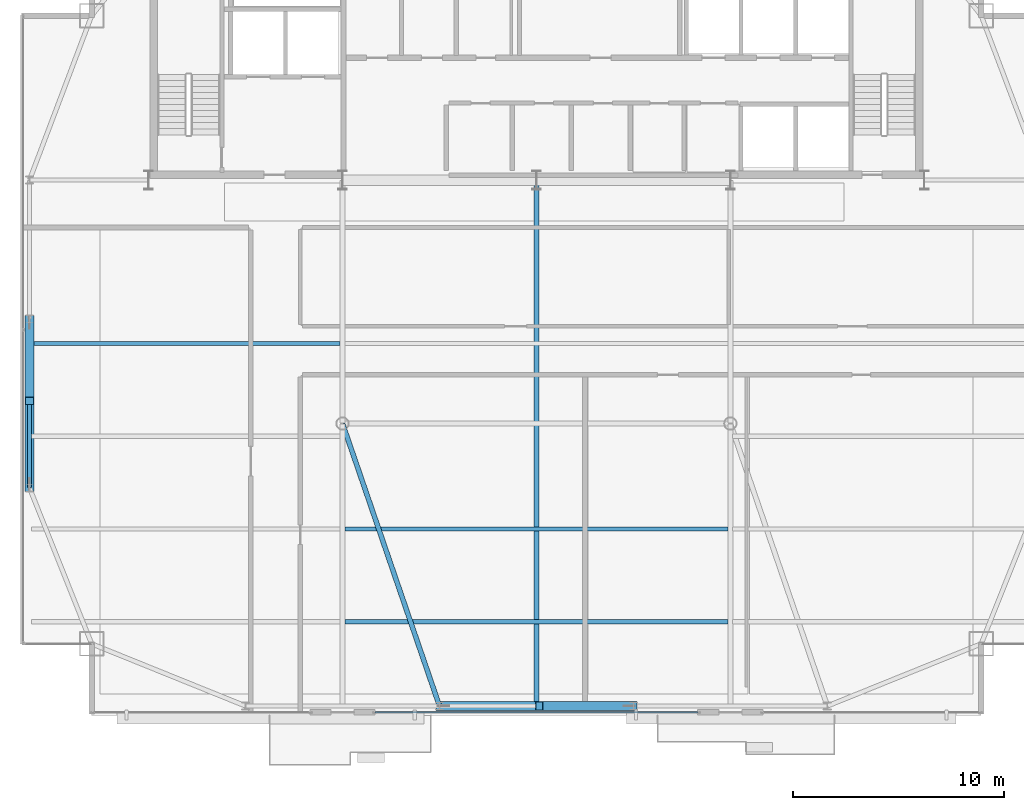
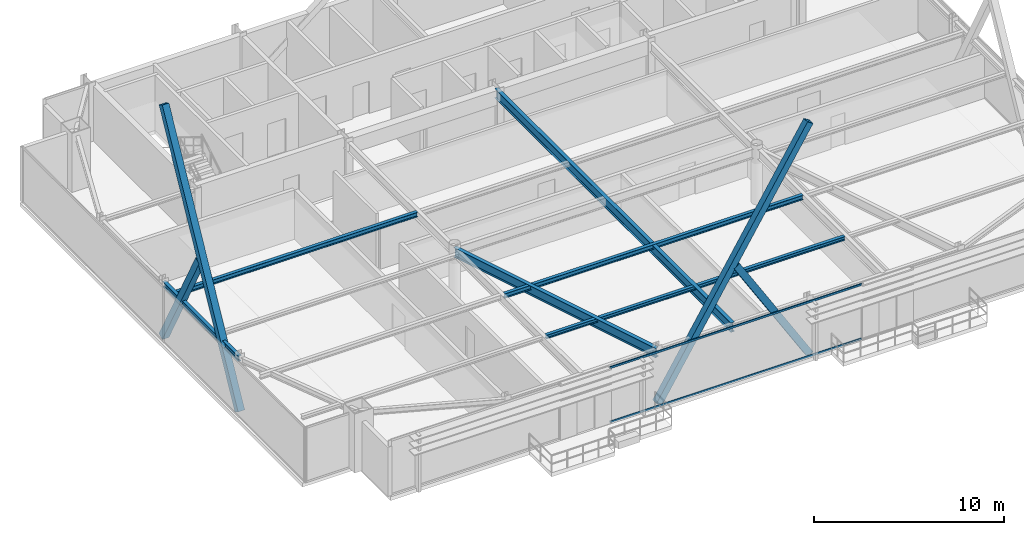
# One storey, part 9 of 31: 6 beams, 6 members, 1 element without a shape of its own.
"""IFC4 building model written with IfcOpenShell, lengths in metres."""

from ifc_helpers import new_model, si_unit, direction, frame, origin, origin_2d, place, context, subcontext, project, spatial, hollow_rectangle, i_section, extrude, source, transform, mapped, material, layer, layer_set, material_profile, profile_set, type_object, type_shapes, element, aggregate, save


model = new_model("IFC4")

# Units and contexts
model_context = context("Model", 3, precision=1e-05, world=origin(), true_north=direction((0.0, 1.0)))
body_context = subcontext(model_context, "Body", "Model", "MODEL_VIEW")
ifc_project = project(units=[si_unit("LENGTHUNIT", "METRE"), si_unit("AREAUNIT", "SQUARE_METRE"), si_unit("VOLUMEUNIT", "CUBIC_METRE"), si_unit("PLANEANGLEUNIT", "RADIAN"), si_unit("MASSUNIT", "GRAM", prefix="KILO")], contexts=[model_context])

# Site, building, storey
site_placement = place(None, origin())
site = spatial("IfcSite", under=ifc_project, at=site_placement, CompositionType="ELEMENT")
building_placement = place(site_placement, origin())
building = spatial("IfcBuilding", under=site, at=building_placement, Name="Varnel Quay Broadcast Tower", CompositionType="ELEMENT")
storey_placement = place(building_placement, frame((0.0, 0.0, 239.39990234375)))
storey = spatial("IfcBuildingStorey", under=building, at=storey_placement, Name="L59", CompositionType="ELEMENT", Elevation=239.39990234375)

# Beams
ifc_material_1 = material(Name="Structural Steel CSA G40.21 350W", Category="steel")
ifc_material_profile_1 = material_profile(ifc_material_1, i_section(OverallWidth=0.205078125, OverallDepth=0.35400390625, WebThickness=0.009521484375, FlangeThickness=0.016845703125, FilletRadius=0.012939453125, at=origin_2d()), Name="W360X79")
ifc_profile_set_1 = profile_set([ifc_material_profile_1], Name="Structural Steel CSA G40.21 350W")
beam_type_1 = type_object("IfcBeamType", Name="Beam_W360X79", PredefinedType="SPANDREL", material=ifc_profile_set_1)
shared_shape_1 = source(origin(), body_context, "Body", "SweptSolid", [
    extrude(i_section(OverallWidth=0.205078125, OverallDepth=0.35400390625, WebThickness=0.009521484375, FlangeThickness=0.016845703125, FilletRadius=0.012939453125, at=origin_2d()), origin(), (0.0, 0.0, 1.0), 7.9599609375),
])
type_shapes(beam_type_1, [shared_shape_1])
beam_1_placement = place(storey_placement, frame((9.949951171875, 21.02001953125, 3.373046875), z_axis=(0.0, 1.0, 0.0), x_axis=(-1.0, 0.0, 0.0)))
element("IfcBeam", 1, at=beam_1_placement, inside=storey, type_object=beam_type_1, Name="L59 West Spandrel TC-W1-TC-W2", PredefinedType="SPANDREL", context=body_context, shape_type="MappedRepresentation", body=[
    mapped(shared_shape_1, transform((0.0, 0.0, 0.0), x_axis=(1.0, 0.0, 0.0), y_axis=(0.0, 1.0, 0.0), z_axis=(0.0, 0.0, 1.0), scale=1.0)),
])
ifc_material_profile_2 = material_profile(ifc_material_1, i_section(OverallWidth=0.22998046875, OverallDepth=0.616943359375, WebThickness=0.01318359375, FlangeThickness=0.022216796875, FilletRadius=0.01611328125, at=origin_2d()), Name="W610X140")
ifc_profile_set_2 = profile_set([ifc_material_profile_2], Name="Structural Steel CSA G40.21 350W")
beam_type_2 = type_object("IfcBeamType", Name="Girder_W610X140", PredefinedType="BEAM", material=ifc_profile_set_2)
shared_shape_2 = source(origin(), body_context, "Body", "SweptSolid", [
    extrude(i_section(OverallWidth=0.22998046875, OverallDepth=0.616943359375, WebThickness=0.01318359375, FlangeThickness=0.022216796875, FilletRadius=0.01611328125, at=origin_2d()), origin(), (0.0, 0.0, 1.0), 14.12744140625),
])
beam_2_placement = place(storey_placement, frame((29.3935546875, 10.6689453125, 3.24169921875), z_axis=(-0.324696747868, 0.945818175932, 0.0), x_axis=(-0.945818175932, -0.324696747868, 0.0)))
element("IfcBeam", 2, at=beam_2_placement, inside=storey, type_object=beam_type_2, Name="L59 Primary Girder TC-S2-IC-01", PredefinedType="BEAM", context=body_context, shape_type="MappedRepresentation", body=[
    mapped(shared_shape_2, transform((0.0, 0.0, 0.0), x_axis=(1.0, 0.0, 0.0), y_axis=(0.0, 1.0, 0.0), z_axis=(0.0, 0.0, 1.0), scale=1.0)),
])
shared_shape_3 = source(origin(), body_context, "Body", "SweptSolid", [
    extrude(i_section(OverallWidth=0.22998046875, OverallDepth=0.616943359375, WebThickness=0.01318359375, FlangeThickness=0.022216796875, FilletRadius=0.01611328125, at=origin_2d()), origin(), (0.0, 0.0, 1.0), 24.91015625),
])
type_shapes(beam_type_2, [shared_shape_2, shared_shape_3])
beam_3_placement = place(storey_placement, frame((34.0, 10.669921875, 3.24169921875), z_axis=(0.0, 1.0, 0.0), x_axis=(-1.0, 0.0, 0.0)))
element("IfcBeam", 3, at=beam_3_placement, inside=storey, type_object=beam_type_2, Name="L59 Central Bay Girder", PredefinedType="BEAM", context=body_context, shape_type="MappedRepresentation", body=[
    mapped(shared_shape_3, transform((0.0, 0.0, 0.0), x_axis=(1.0, 0.0, 0.0), y_axis=(0.0, 1.0, 0.0), z_axis=(0.0, 0.0, 1.0), scale=1.0)),
])
ifc_material_profile_3 = material_profile(ifc_material_1, i_section(OverallWidth=0.201904296875, OverallDepth=0.2470703125, WebThickness=0.00732421875, FlangeThickness=0.010986328125, FilletRadius=0.010986328125, at=origin_2d()), Name="W250X49")
ifc_profile_set_3 = profile_set([ifc_material_profile_3], Name="Structural Steel CSA G40.21 350W")
beam_type_3 = type_object("IfcBeamType", Name="Beam_W250X49", PredefinedType="JOIST", material=ifc_profile_set_3)
shared_shape_4 = source(origin(), body_context, "Body", "SweptSolid", [
    extrude(i_section(OverallWidth=0.201904296875, OverallDepth=0.2470703125, WebThickness=0.00732421875, FlangeThickness=0.010986328125, FilletRadius=0.010986328125, at=origin_2d()), origin(), (0.0, 0.0, 1.0), 18.18017578125),
])
type_shapes(beam_type_3, [shared_shape_4])
beam_4_placement = place(storey_placement, frame((24.909912109375, 14.64990234375, 3.426513671875), z_axis=(1.0, 0.0, 0.0), x_axis=(0.0, 1.0, 0.0)))
element("IfcBeam", 4, at=beam_4_placement, inside=storey, type_object=beam_type_3, Name="L59 Central Floor Joist 1", PredefinedType="JOIST", context=body_context, shape_type="MappedRepresentation", body=[
    mapped(shared_shape_4, transform((0.0, 0.0, 0.0), x_axis=(1.0, 0.0, 0.0), y_axis=(0.0, 1.0, 0.0), z_axis=(0.0, 0.0, 1.0), scale=1.0)),
])
ifc_material_profile_4 = material_profile(ifc_material_1, i_section(OverallWidth=0.202880859375, OverallDepth=0.302978515625, WebThickness=0.007568359375, FlangeThickness=0.01318359375, FilletRadius=0.011962890625, at=origin_2d()), Name="W310X60")
ifc_profile_set_4 = profile_set([ifc_material_profile_4], Name="Structural Steel CSA G40.21 350W")
beam_type_4 = type_object("IfcBeamType", Name="Beam_W310X60", PredefinedType="JOIST", material=ifc_profile_set_4)
shared_shape_5 = source(origin(), body_context, "Body", "SweptSolid", [
    extrude(i_section(OverallWidth=0.202880859375, OverallDepth=0.302978515625, WebThickness=0.007568359375, FlangeThickness=0.01318359375, FilletRadius=0.011962890625, at=origin_2d()), origin(), (0.0, 0.0, 1.0), 14.642333984375),
])
beam_5_placement = place(storey_placement, frame((10.047607421875, 27.85009765625, 3.398681640625), z_axis=(1.0, 0.0, 0.0), x_axis=(0.0, 1.0, 0.0)))
element("IfcBeam", 5, at=beam_5_placement, inside=storey, type_object=beam_type_4, Name="L59 West Floor Joist 4", PredefinedType="JOIST", context=body_context, shape_type="MappedRepresentation", body=[
    mapped(shared_shape_5, transform((0.0, 0.0, 0.0), x_axis=(1.0, 0.0, 0.0), y_axis=(0.0, 1.0, 0.0), z_axis=(0.0, 0.0, 1.0), scale=1.0)),
])
shared_shape_6 = source(origin(), body_context, "Body", "SweptSolid", [
    extrude(i_section(OverallWidth=0.202880859375, OverallDepth=0.302978515625, WebThickness=0.007568359375, FlangeThickness=0.01318359375, FilletRadius=0.011962890625, at=origin_2d()), origin(), (0.0, 0.0, 1.0), 18.18017578125),
])
type_shapes(beam_type_4, [shared_shape_5, shared_shape_6])
beam_6_placement = place(storey_placement, frame((24.909912109375, 19.050048828125, 3.398681640625), z_axis=(1.0, 0.0, 0.0), x_axis=(0.0, 1.0, 0.0)))
element("IfcBeam", 6, at=beam_6_placement, inside=storey, type_object=beam_type_4, Name="L59 Central Floor Joist 2", PredefinedType="JOIST", context=body_context, shape_type="MappedRepresentation", body=[
    mapped(shared_shape_6, transform((0.0, 0.0, 0.0), x_axis=(1.0, 0.0, 0.0), y_axis=(0.0, 1.0, 0.0), z_axis=(0.0, 0.0, 1.0), scale=1.0)),
])

# Members
ifc_material_profile_5 = material_profile(ifc_material_1, hollow_rectangle(XDim=0.406005859375, YDim=0.406005859375, WallThickness=0.01611328125, at=origin_2d()), Name="HSS406X406X16")
ifc_profile_set_5 = profile_set([ifc_material_profile_5], Name="Structural Steel CSA G40.21 350W")
member_type_1 = type_object("IfcMemberType", Name="Brace_HSS406X406X16", PredefinedType="BRACE", material=ifc_profile_set_5)
shared_shape_7 = source(origin(), body_context, "Body", "SweptSolid", [
    extrude(hollow_rectangle(XDim=0.406005859375, YDim=0.406005859375, WallThickness=0.01611328125, at=origin_2d()), origin(), (0.0, 0.0, 1.0), 8.508056640625),
])
member_1_placement = place(storey_placement, frame((38.60009765625, 10.64990234375, 0.02001953125), z_axis=(-0.525128109977, 0.0, 0.851023188939), x_axis=(0.0, -1.0, 0.0)))
element("IfcMember", 7, at=member_1_placement, inside=storey, type_object=member_type_1, Name="Zone 4 Mega-Brace S-C1T3 Split Diag B1", PredefinedType="BRACE", context=body_context, shape_type="MappedRepresentation", body=[
    mapped(shared_shape_7, transform((0.0, 0.0, 0.0), x_axis=(1.0, 0.0, 0.0), y_axis=(0.0, 1.0, 0.0), z_axis=(0.0, 0.0, 1.0), scale=1.0)),
])
shared_shape_8 = source(origin(), body_context, "Body", "SweptSolid", [
    extrude(hollow_rectangle(XDim=0.406005859375, YDim=0.406005859375, WallThickness=0.01611328125, at=origin_2d()), origin(), (0.0, 0.0, 1.0), 8.191650390625),
])
member_2_placement = place(storey_placement, frame((9.949951171875, 29.0, 0.02001953125), z_axis=(0.0, -0.47280190134, 0.881168747794), x_axis=(1.0, 0.0, 0.0)))
element("IfcMember", 8, at=member_2_placement, inside=storey, type_object=member_type_1, Name="Zone 4 Mega-Brace W-FT3 Split Diag B1", PredefinedType="BRACE", context=body_context, shape_type="MappedRepresentation", body=[
    mapped(shared_shape_8, transform((0.0, 0.0, 0.0), x_axis=(1.0, 0.0, 0.0), y_axis=(0.0, 1.0, 0.0), z_axis=(0.0, 0.0, 1.0), scale=1.0)),
])
shared_shape_9 = source(origin(), body_context, "Body", "SweptSolid", [
    extrude(hollow_rectangle(XDim=0.406005859375, YDim=0.406005859375, WallThickness=0.01611328125, at=origin_2d()), origin(), (0.0, 0.0, 1.0), 17.520263671875),
])
member_3_placement = place(storey_placement, frame((29.39990234375, 10.64990234375, 0.02001953125), z_axis=(0.525120210995, 0.0, 0.851028062995), x_axis=(0.0, 1.0, 0.0)))
element("IfcMember", 9, at=member_3_placement, inside=storey, type_object=member_type_1, Name="Zone 4 Mega-Brace S-C1T3 Continuous Diag A", PredefinedType="BRACE", context=body_context, shape_type="MappedRepresentation", body=[
    mapped(shared_shape_9, transform((0.0, 0.0, 0.0), x_axis=(1.0, 0.0, 0.0), y_axis=(0.0, 1.0, 0.0), z_axis=(0.0, 0.0, 1.0), scale=1.0)),
])
shared_shape_10 = source(origin(), body_context, "Body", "SweptSolid", [
    extrude(hollow_rectangle(XDim=0.406005859375, YDim=0.406005859375, WallThickness=0.01611328125, at=origin_2d()), origin(), (0.0, 0.0, 1.0), 16.9208984375),
])
type_shapes(member_type_1, [shared_shape_7, shared_shape_8, shared_shape_9, shared_shape_10])
member_4_placement = place(storey_placement, frame((9.949951171875, 21.0, 0.02001953125), z_axis=(0.0, 0.472791473482, 0.88117434291), x_axis=(-1.0, 0.0, 0.0)))
element("IfcMember", 10, at=member_4_placement, inside=storey, type_object=member_type_1, Name="Zone 4 Mega-Brace W-FT3 Continuous Diag A", PredefinedType="BRACE", context=body_context, shape_type="MappedRepresentation", body=[
    mapped(shared_shape_10, transform((0.0, 0.0, 0.0), x_axis=(1.0, 0.0, 0.0), y_axis=(0.0, 1.0, 0.0), z_axis=(0.0, 0.0, 1.0), scale=1.0)),
])

# Curtain wall, members
ifc_material_2 = material(Name="Anodised Bronze Aluminium 6063-T6", Category="aluminium")
ifc_layer = layer(ifc_material_2, 0.18994140625, Name="Anodised Bronze Aluminium 6063-T6")
ifc_layer_set = layer_set([ifc_layer], Name="Anodised Bronze Aluminium 6063-T6")
curtain_wall_type = type_object("IfcCurtainWallType", Name="CW_UpperTower", PredefinedType="NOTDEFINED", material=ifc_layer_set)
curtain_wall_placement = place(storey_placement, origin())
curtain_wall = element("IfcCurtainWall", 11, at=curtain_wall_placement, inside=storey, type_object=curtain_wall_type, Name="L59 South Unitised Curtain Wall 2", PredefinedType="NOTDEFINED")
ifc_material_profile_6 = material_profile(ifc_material_2, hollow_rectangle(XDim=0.06005859375, YDim=0.125, WallThickness=0.0029296875, at=origin_2d()), Name="ALU60X125X3")
ifc_profile_set_6 = profile_set([ifc_material_profile_6], Name="Anodised Bronze Aluminium 6063-T6")
member_type_2 = type_object("IfcMemberType", Name="Tran_CWS-03", PredefinedType="USERDEFINED", material=ifc_profile_set_6)
shared_shape_11 = source(origin(), body_context, "Body", "SweptSolid", [
    extrude(hollow_rectangle(XDim=0.06005859375, YDim=0.125, WallThickness=0.0029296875, at=origin_2d()), origin(), (0.0, 0.0, 1.0), 15.31005859375),
])
type_shapes(member_type_2, [shared_shape_11])
member_5_placement = place(storey_placement, frame((26.344970703125, 10.35009765625, 0.030029296875), z_axis=(1.0, 0.0, 0.0), x_axis=(0.0, 1.0, 0.0)))
member_5 = element("IfcMember", 12, at=member_5_placement, type_object=member_type_2, Name="CWS-03 transom 1.1", ObjectType="TRANSOM", PredefinedType="USERDEFINED", context=body_context, shape_type="MappedRepresentation", body=[
    mapped(shared_shape_11, transform((0.0, 0.0, 0.0), x_axis=(1.0, 0.0, 0.0), y_axis=(0.0, 1.0, 0.0), z_axis=(0.0, 0.0, 1.0), scale=1.0)),
])
member_6_placement = place(storey_placement, frame((26.344970703125, 10.35009765625, 3.52001953125), z_axis=(1.0, 0.0, 0.0), x_axis=(0.0, 1.0, 0.0)))
member_6 = element("IfcMember", 13, at=member_6_placement, type_object=member_type_2, Name="CWS-03 transom 1.2", ObjectType="TRANSOM", PredefinedType="USERDEFINED", context=body_context, shape_type="MappedRepresentation", body=[
    mapped(shared_shape_11, transform((0.0, 0.0, 0.0), x_axis=(1.0, 0.0, 0.0), y_axis=(0.0, 1.0, 0.0), z_axis=(0.0, 0.0, 1.0), scale=1.0)),
])
aggregate(curtain_wall, [member_5, member_6])

save(model, "model.ifc")
